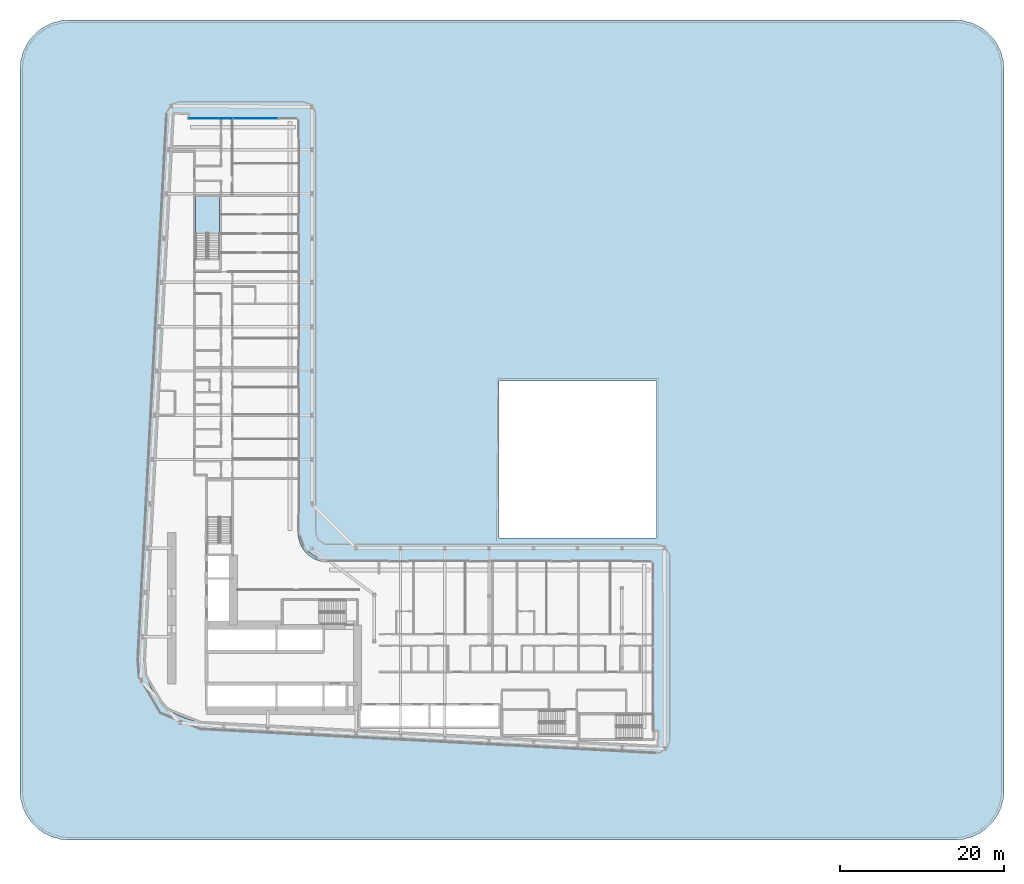
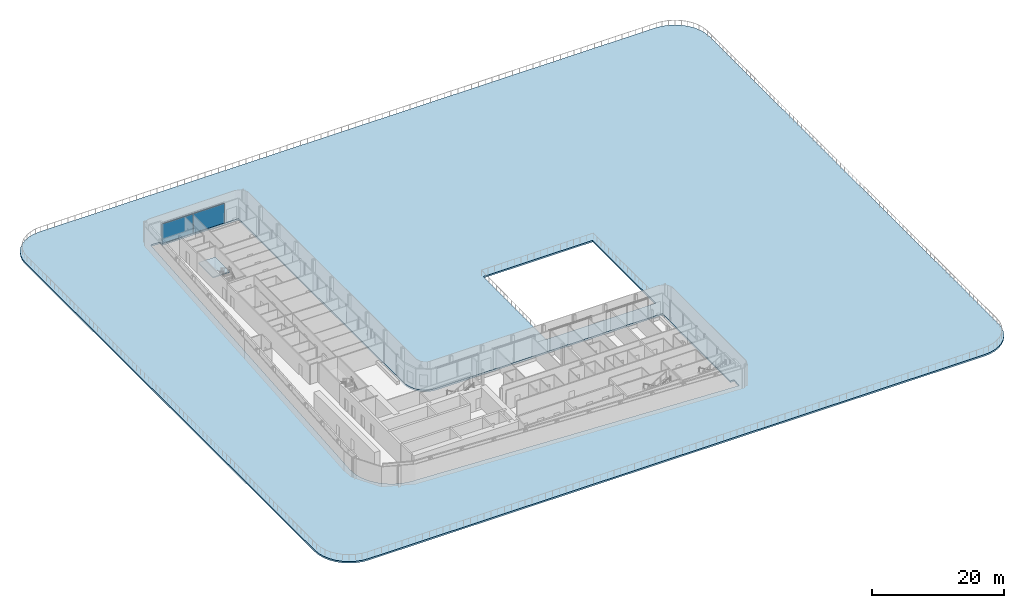
# One storey, part 11 of 27: 2 plates, 2 slabs, 2 elements without a shape of their own.
"""IFC4 building model written with IfcOpenShell, lengths in metres."""

from ifc_helpers import new_model, si_unit, direction, frame, origin, origin_2d, place, context, subcontext, project, spatial, polyline, rectangle, outline, extrude, material, layer, layer_set, type_object, element, aggregate, save


model = new_model("IFC4")

# Units and contexts
model_context = context("Model", 3, precision=1e-05, world=origin(), true_north=direction((0.0, 1.0)))
body_context = subcontext(model_context, "Body", "Model", "MODEL_VIEW")
ifc_project = project(units=[si_unit("LENGTHUNIT", "METRE"), si_unit("AREAUNIT", "SQUARE_METRE"), si_unit("VOLUMEUNIT", "CUBIC_METRE"), si_unit("PLANEANGLEUNIT", "RADIAN"), si_unit("MASSUNIT", "GRAM", prefix="KILO")], contexts=[model_context])

# Site, building, storey
site_placement = place(None, origin())
site = spatial("IfcSite", under=ifc_project, at=site_placement, CompositionType="ELEMENT")
building_placement = place(site_placement, origin())
building = spatial("IfcBuilding", under=site, at=building_placement, Name="Kheshtan School and Residences Tower", CompositionType="ELEMENT")
storey_placement = place(building_placement, frame((0.0, 0.0, 30.5)))
storey = spatial("IfcBuildingStorey", under=building, at=storey_placement, Name="L06", CompositionType="ELEMENT", Elevation=30.5)

# Curtain wall, plates
ifc_material_1 = material(Name="Clear low-e glass in thermally broken aluminium frame", Category="aluminium")
ifc_layer_1 = layer(ifc_material_1, 0.199951171875)
ifc_layer_set_1 = layer_set([ifc_layer_1], Name="Curtain wall CW-L")
curtain_wall_type = type_object("IfcCurtainWallType", Name="Curtain wall CW-L", PredefinedType="NOTDEFINED", material=ifc_layer_set_1)
curtain_wall_placement = place(storey_placement, origin())
curtain_wall = element("IfcCurtainWall", 1, at=curtain_wall_placement, inside=storey, type_object=curtain_wall_type, Name="Curtain wall CWL7", PredefinedType="NOTDEFINED")
ifc_layer_2 = layer(ifc_material_1, 0.031982421875)
ifc_layer_set_2 = layer_set([ifc_layer_2], Name="CW-L glass panel")
plate_type = type_object("IfcPlateType", Name="CW-L glass panel", PredefinedType="CURTAIN_PANEL", material=ifc_layer_set_2)
plate_1_placement = place(storey_placement, frame((35.259033203125, 98.0, 0.0), z_axis=(0.0, 0.0, 1.0), x_axis=(1.0, 0.0, 0.0)))
plate_1 = element("IfcPlate", 2, at=plate_1_placement, type_object=plate_type, Name="CWL7 panel 1.1", PredefinedType="CURTAIN_PANEL", context=body_context, shape_type="SweptSolid", body=[
    extrude(rectangle(XDim=5.4140625, YDim=0.031982421875, at=origin_2d()), origin(), (0.0, 0.0, 1.0), 3.6298828125),
])
plate_2_placement = place(storey_placement, frame((40.73291015625, 98.0, 0.0), z_axis=(0.0, 0.0, 1.0), x_axis=(1.0, 0.0, 0.0)))
plate_2 = element("IfcPlate", 3, at=plate_2_placement, type_object=plate_type, Name="CWL7 panel 2.1", PredefinedType="CURTAIN_PANEL", context=body_context, shape_type="SweptSolid", body=[
    extrude(rectangle(XDim=5.4140625, YDim=0.031982421875, at=origin_2d()), origin(), (0.0, 0.0, 1.0), 3.6298828125),
])
aggregate(curtain_wall, [plate_1, plate_2])

# Stair, slab
ifc_material_2 = material(Name="Concrete C40/50", Category="concrete")
stair_type = type_object("IfcStairType", Name="Exit stair, half-turn", PredefinedType="HALF_TURN_STAIR", material=ifc_material_2)
stair_placement = place(storey_placement, origin())
stair = element("IfcStair", 4, at=stair_placement, inside=storey, type_object=stair_type, Name="L06 Protected Exit Stair ST3", PredefinedType="HALF_TURN_STAIR")
ifc_layer_3 = layer(ifc_material_2, 0.199951171875)
ifc_layer_set_3 = layer_set([ifc_layer_3], Name="Stair landing 200 Concrete C40/50")
slab_type_1 = type_object("IfcSlabType", Name="Stair landing 200 Concrete C40/50", PredefinedType="LANDING", material=ifc_layer_set_3)
slab_1_placement = place(storey_placement, frame((0.0, 0.0, 1.75)))
slab_1 = element("IfcSlab", 5, at=slab_1_placement, type_object=slab_type_1, Name="ST3 landing 1", PredefinedType="LANDING", context=body_context, shape_type="SweptSolid", body=[
    extrude(outline(polyline([(36.35009765625, 83.97998046875), (36.35009765625, 88.4599609375), (33.39990234375, 88.4599609375), (33.39990234375, 83.97998046875), (36.35009765625, 83.97998046875)])), origin(), (0.0, 0.0, 1.0), 0.199951171875),
])
aggregate(stair, [slab_1])

# Slab
ifc_layer_4 = layer(ifc_material_2, 0.300048828125)
ifc_layer_set_4 = layer_set([ifc_layer_4], Name="Terrace slab 300 Concrete C40/50")
slab_type_2 = type_object("IfcSlabType", Name="Terrace slab 300 Concrete C40/50", PredefinedType="FLOOR", material=ifc_layer_set_4)
slab_2_placement = place(storey_placement, frame((0.0, 0.0, -0.300048828125)))
element("IfcSlab", 6, at=slab_2_placement, inside=storey, type_object=slab_type_2, Name="Terrace slab L06", PredefinedType="FLOOR", context=body_context, shape_type="SweptSolid", body=[
    extrude(outline(polyline([(12.37109375, 106.071044921875), (12.7939453125, 106.97998046875), (12.803955078125, 107.0), (12.81591796875, 107.01806640625), (13.39111328125, 107.839111328125), (13.403076171875, 107.85595703125), (13.404052734375, 107.85595703125), (13.404052734375, 107.85693359375), (13.4189453125, 107.873046875), (14.126953125, 108.5810546875), (14.14306640625, 108.595947265625), (14.14404296875, 108.595947265625), (14.14404296875, 108.596923828125), (14.160888671875, 108.60888671875), (14.98193359375, 109.18408203125), (15.0, 109.196044921875), (15.02001953125, 109.2060546875), (15.928955078125, 109.62890625), (15.948974609375, 109.636962890625), (15.968994140625, 109.64306640625), (16.93603515625, 109.903076171875), (16.93701171875, 109.903076171875), (16.958984375, 109.907958984375), (16.97998046875, 109.910888671875), (17.989013671875, 109.9990234375), (18.010986328125, 110.0), (125.989013671875, 110.0), (126.010986328125, 109.9990234375), (127.02001953125, 109.910888671875), (127.041015625, 109.907958984375), (127.06298828125, 109.903076171875), (127.06396484375, 109.903076171875), (128.031005859375, 109.64306640625), (128.051025390625, 109.636962890625), (128.071044921875, 109.62890625), (128.97998046875, 109.2060546875), (129.0, 109.196044921875), (129.01806640625, 109.18408203125), (129.839111328125, 108.60888671875), (129.85595703125, 108.596923828125), (129.85595703125, 108.595947265625), (129.85693359375, 108.595947265625), (129.873046875, 108.5810546875), (130.5810546875, 107.873046875), (130.595947265625, 107.85693359375), (130.595947265625, 107.85595703125), (130.596923828125, 107.85595703125), (130.60888671875, 107.839111328125), (131.18408203125, 107.01806640625), (131.196044921875, 107.0), (131.2060546875, 106.97998046875), (131.62890625, 106.071044921875), (131.636962890625, 106.051025390625), (131.64306640625, 106.031005859375), (131.903076171875, 105.06396484375), (131.903076171875, 105.06298828125), (131.907958984375, 105.041015625), (131.910888671875, 105.02001953125), (131.9990234375, 104.010986328125), (132.0, 103.989013671875), (132.0, 16.010986328125), (131.9990234375, 15.989013671875), (131.910888671875, 14.97998046875), (131.907958984375, 14.958984375), (131.903076171875, 14.93701171875), (131.903076171875, 14.93603515625), (131.64306640625, 13.968994140625), (131.636962890625, 13.948974609375), (131.62890625, 13.928955078125), (131.2060546875, 13.02001953125), (131.196044921875, 13.0), (131.18408203125, 12.98193359375), (130.60888671875, 12.160888671875), (130.596923828125, 12.14404296875), (130.595947265625, 12.14404296875), (130.595947265625, 12.14306640625), (130.5810546875, 12.126953125), (129.873046875, 11.4189453125), (129.85693359375, 11.404052734375), (129.85595703125, 11.404052734375), (129.85595703125, 11.403076171875), (129.839111328125, 11.39111328125), (129.01806640625, 10.81591796875), (129.0, 10.803955078125), (128.97998046875, 10.7939453125), (128.071044921875, 10.37109375), (128.051025390625, 10.363037109375), (128.031005859375, 10.35693359375), (127.06396484375, 10.096923828125), (127.06298828125, 10.096923828125), (127.041015625, 10.092041015625), (127.02001953125, 10.089111328125), (126.010986328125, 10.0009765625), (125.989013671875, 10.0), (18.010986328125, 10.0), (17.989013671875, 10.0009765625), (16.97998046875, 10.089111328125), (16.958984375, 10.092041015625), (16.93701171875, 10.096923828125), (16.93603515625, 10.096923828125), (15.968994140625, 10.35693359375), (15.948974609375, 10.363037109375), (15.928955078125, 10.37109375), (15.02001953125, 10.7939453125), (15.0, 10.803955078125), (14.98193359375, 10.81591796875), (14.160888671875, 11.39111328125), (14.14404296875, 11.403076171875), (14.14404296875, 11.404052734375), (14.14306640625, 11.404052734375), (14.126953125, 11.4189453125), (13.4189453125, 12.126953125), (13.404052734375, 12.14306640625), (13.404052734375, 12.14404296875), (13.403076171875, 12.14404296875), (13.39111328125, 12.160888671875), (12.81591796875, 12.98193359375), (12.803955078125, 13.0), (12.7939453125, 13.02001953125), (12.37109375, 13.928955078125), (12.363037109375, 13.948974609375), (12.35693359375, 13.968994140625), (12.096923828125, 14.93603515625), (12.096923828125, 14.93701171875), (12.092041015625, 14.958984375), (12.089111328125, 14.97998046875), (12.0009765625, 15.989013671875), (12.0, 16.010986328125), (12.0, 103.989013671875), (12.0009765625, 104.010986328125), (12.089111328125, 105.02001953125), (12.092041015625, 105.041015625), (12.096923828125, 105.06298828125), (12.096923828125, 105.06396484375), (12.35693359375, 106.031005859375), (12.363037109375, 106.051025390625), (12.37109375, 106.071044921875)]), holes=[polyline([(32.491943359375, 97.89990234375), (32.52099609375, 98.43994140625), (32.52099609375, 98.44091796875), (32.52001953125, 98.44091796875), (32.52001953125, 98.44189453125), (32.51904296875, 98.44189453125), (30.827880859375, 98.531982421875), (30.826904296875, 98.531982421875), (30.826904296875, 98.531005859375), (30.825927734375, 98.531005859375), (30.825927734375, 98.530029296875), (30.822021484375, 98.5009765625), (27.320068359375, 31.970947265625), (27.3330078125, 31.013916015625), (27.466064453125, 30.093994140625), (27.466064453125, 30.093017578125), (27.718017578125, 29.200927734375), (28.0849609375, 28.345947265625), (28.55908203125, 27.550048828125), (29.133056640625, 26.820068359375), (29.134033203125, 26.820068359375), (29.798095703125, 26.173095703125), (29.798095703125, 26.172119140625), (30.541015625, 25.616943359375), (31.35205078125, 25.1630859375), (32.215087890625, 24.819091796875), (32.216064453125, 24.819091796875), (33.114990234375, 24.590087890625), (34.06591796875, 24.47705078125), (89.637939453125, 21.552001953125), (89.666015625, 21.552978515625), (89.6669921875, 21.552978515625), (89.6669921875, 21.553955078125), (89.66796875, 21.553955078125), (89.66796875, 21.554931640625), (89.758056640625, 23.24609375), (89.758056640625, 23.2470703125), (89.757080078125, 23.2470703125), (89.757080078125, 23.248046875), (89.756103515625, 23.248046875), (89.10107421875, 23.282958984375), (89.10009765625, 23.282958984375), (89.10009765625, 23.283935546875), (89.10009765625, 43.89794921875), (89.10009765625, 43.89892578125), (89.09912109375, 43.89892578125), (89.09912109375, 43.89990234375), (89.097900390625, 43.89990234375), (49.429931640625, 43.89990234375), (49.030029296875, 43.927001953125), (48.569091796875, 44.01806640625), (48.568115234375, 44.01806640625), (48.1201171875, 44.169921875), (47.697021484375, 44.37890625), (47.30810546875, 44.638916015625), (46.950927734375, 44.949951171875), (46.949951171875, 44.950927734375), (46.638916015625, 45.30810546875), (46.37890625, 45.697021484375), (46.169921875, 46.1201171875), (46.01806640625, 46.568115234375), (46.01806640625, 46.569091796875), (45.927001953125, 47.030029296875), (45.89990234375, 47.429931640625), (45.89990234375, 97.89794921875), (45.89990234375, 97.89892578125), (45.89892578125, 97.89892578125), (45.89892578125, 97.89990234375), (45.89794921875, 97.89990234375), (32.492919921875, 97.89990234375), (32.491943359375, 97.89990234375)]), polyline([(70.39990234375, 46.801025390625), (70.40087890625, 46.801025390625), (70.40087890625, 46.800048828125), (70.402099609375, 46.800048828125), (89.597900390625, 46.800048828125), (89.59912109375, 46.800048828125), (89.59912109375, 46.801025390625), (89.60009765625, 46.801025390625), (89.60009765625, 46.802001953125), (89.60009765625, 65.998046875), (89.60009765625, 65.9990234375), (89.59912109375, 65.9990234375), (89.59912109375, 66.0), (89.597900390625, 66.0), (70.402099609375, 66.0), (70.40087890625, 66.0), (70.40087890625, 65.9990234375), (70.39990234375, 65.9990234375), (70.39990234375, 65.998046875), (70.39990234375, 46.802001953125), (70.39990234375, 46.801025390625)])]), origin(), (0.0, 0.0, 1.0), 0.300048828125),
])

save(model, "model.ifc")
